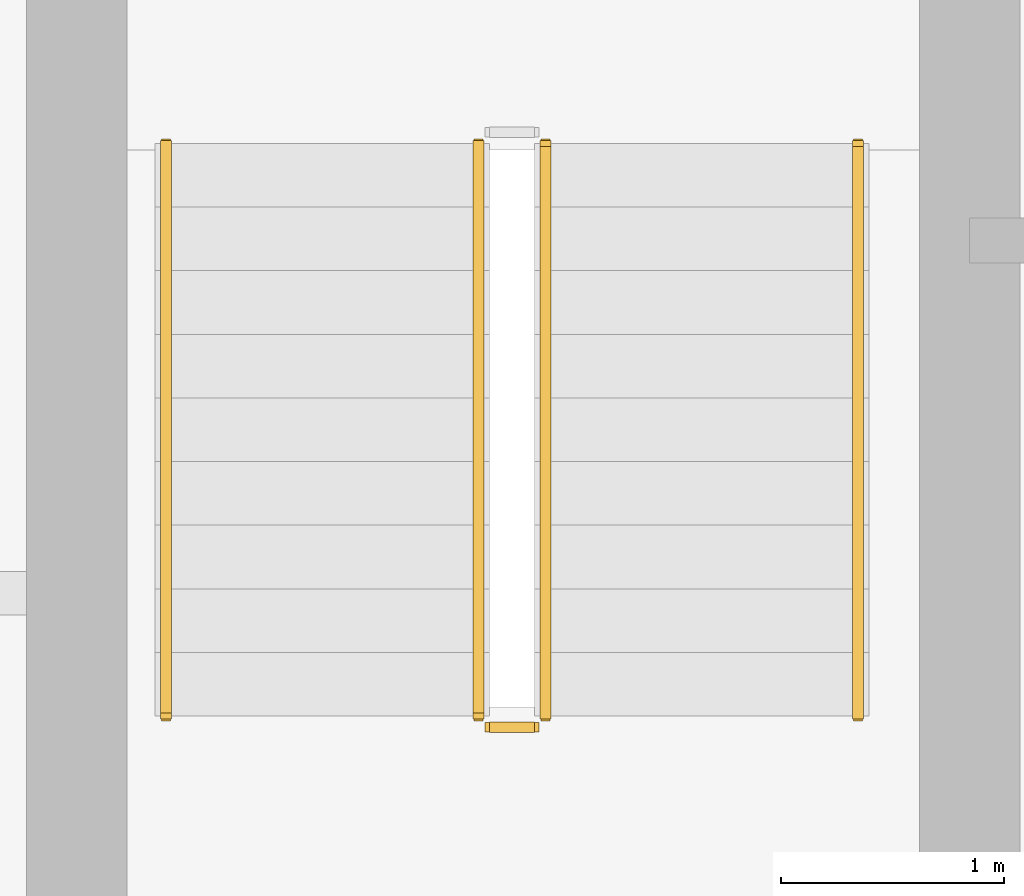
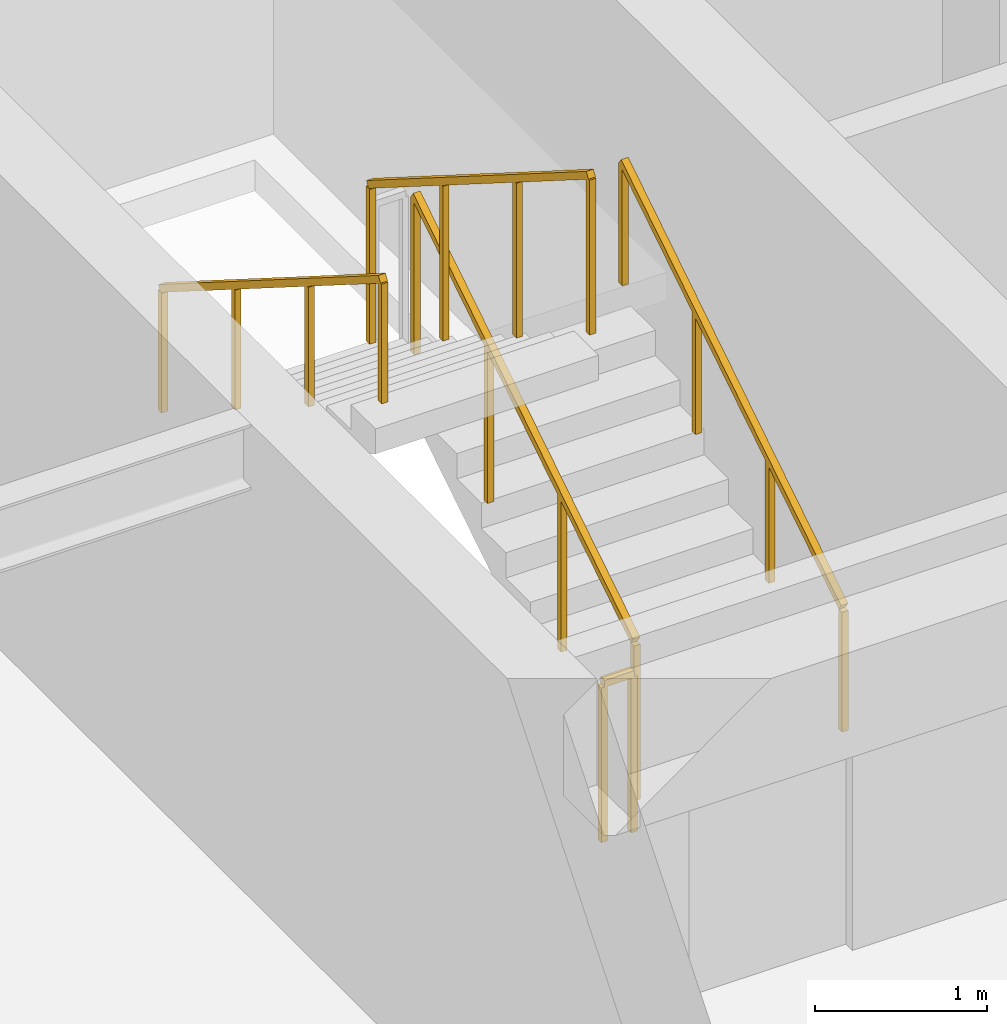
# One storey, part 27 of 29: 5 railings.
"""IFC4 building model written with IfcOpenShell, lengths in metres."""

import ifcopenshell
import ifcopenshell.guid

model = None  # the IFC model being written
_history = None  # IfcOwnerHistory: only IFC2X3 demands one
_inside = {}  # id of a spatial element -> (the spatial element, [elements in it])
_under = {}  # id of a project, library or spatial element -> (it, [spatial elements below it])
_declared = {}  # id of a project -> (the project, [libraries it declares])
_typed = {}  # id of a type object -> (the type object, [elements of that type])
_made_of = {}  # id of a material, layer set ... -> (it, [elements and type objects made of it])


def new_model(schema):
    """Start an empty IFC model of exactly this schema.

    Asked for "IFC4X3", IfcOpenShell would pick the latest addendum, in which some entities
    have other attributes; the version numbers below select the first issue.
    IFC2X3 requires an IfcOwnerHistory on every rooted entity: one is made here for all.
    """
    global model, _history
    if schema == "IFC4X3":
        model = ifcopenshell.file(schema_version=(4, 3, 0, 0))
    else:
        model = ifcopenshell.file(schema=schema)
    _inside.clear()
    _under.clear()
    _declared.clear()
    _typed.clear()
    _made_of.clear()
    _history = None
    if model.schema == "IFC2X3":
        org = make("IfcOrganization", Name="unknown")
        user = make(
            "IfcPersonAndOrganization",
            ThePerson=make("IfcPerson", FamilyName="unknown"),
            TheOrganization=org,
        )
        app = make(
            "IfcApplication",
            ApplicationDeveloper=org,
            Version="unknown",
            ApplicationFullName="unknown",
            ApplicationIdentifier="unknown",
        )
        _history = make(
            "IfcOwnerHistory",
            OwningUser=user,
            OwningApplication=app,
            ChangeAction="ADDED",
            CreationDate=0,
        )
    return model


def make(cls, **values):
    """One entity of the class cls with the attributes given. An attribute that is None is left unset."""
    return model.create_entity(
        cls, **{name: value for name, value in values.items() if value is not None}
    )


def rooted(cls, **values):
    """An entity with a GlobalId (a new one), such as an element, a storey or a relation."""
    return make(cls, GlobalId=ifcopenshell.guid.new(), OwnerHistory=_history, **values)


def si_unit(unit_type, name, prefix=None):
    """IfcSIUnit, for example si_unit("LENGTHUNIT", "METRE", prefix="MILLI")."""
    return make("IfcSIUnit", UnitType=unit_type, Prefix=prefix, Name=name)


def assignment(units):
    """IfcUnitAssignment: the units of a project."""
    return None if units is None else make("IfcUnitAssignment", Units=units)


def point(xyz):
    """IfcCartesianPoint."""
    return None if xyz is None else make("IfcCartesianPoint", Coordinates=xyz)


def direction(xyz):
    """IfcDirection."""
    return None if xyz is None else make("IfcDirection", DirectionRatios=xyz)


def frame(location, z_axis=None, x_axis=None):
    """IfcAxis2Placement3D, a coordinate frame: its origin and axes. An axis left out is left unset."""
    return make(
        "IfcAxis2Placement3D",
        Location=point(location),
        Axis=direction(z_axis),
        RefDirection=direction(x_axis),
    )


def frame_2d(location, x_axis=None):
    """IfcAxis2Placement2D, a coordinate frame in the plane: its origin and x axis."""
    return make(
        "IfcAxis2Placement2D", Location=point(location), RefDirection=direction(x_axis)
    )


def origin():
    """The frame at (0, 0, 0) with its axes left unset."""
    return frame((0.0, 0.0, 0.0))


def origin_2d():
    """The frame at (0, 0) in the plane with its x axis left unset."""
    return frame_2d((0.0, 0.0))


def place(relative_to, where):
    """IfcLocalPlacement: puts the frame where relative to a parent placement (None: the world)."""
    return make(
        "IfcLocalPlacement", PlacementRelTo=relative_to, RelativePlacement=where
    )


def context(
    kind, dimensions, precision=None, world=None, true_north=None, identifier=None
):
    """IfcGeometricRepresentationContext, for example the 3D "Model" context."""
    return make(
        "IfcGeometricRepresentationContext",
        ContextIdentifier=identifier,
        ContextType=kind,
        CoordinateSpaceDimension=dimensions,
        Precision=precision,
        WorldCoordinateSystem=world,
        TrueNorth=true_north,
    )


def subcontext(parent, identifier, kind, view, scale=None):
    """IfcGeometricRepresentationSubContext, for example "Body" below "Model"."""
    return make(
        "IfcGeometricRepresentationSubContext",
        ContextIdentifier=identifier,
        ContextType=kind,
        ParentContext=parent,
        TargetScale=scale,
        TargetView=view,
    )


def project(units=None, contexts=None):
    """IfcProject with its units and contexts."""
    return rooted(
        "IfcProject",
        Name="project",
        RepresentationContexts=contexts,
        UnitsInContext=assignment(units),
    )


def spatial(cls, under=None, at=None, **own):
    """A site, building, storey or space (cls), placed at a placement, below another one or the project."""
    s = rooted(cls, ObjectPlacement=at, **own)
    if under is not None:
        _under.setdefault(under.id(), (under, []))[1].append(s)
    return s


def profile(cls, at=None, kind="AREA", **sizes):
    """A parametric profile (cls). Its sizes go by their IFC names, for example OverallWidth=200.0."""
    return make(cls, ProfileType=kind, Position=at, **sizes)


def rectangle(**sizes):
    """IfcRectangleProfileDef."""
    return profile("IfcRectangleProfileDef", **sizes)


def extrude(swept, where, along, depth):
    """IfcExtrudedAreaSolid: the profile swept, set in the frame where, extruded along a direction by depth."""
    return make(
        "IfcExtrudedAreaSolid",
        SweptArea=swept,
        Position=where,
        ExtrudedDirection=direction(along),
        Depth=depth,
    )


def shape(context_of_items, identifier, shape_type, items):
    """IfcShapeRepresentation: the items that make up one representation, for example the "Body"."""
    return make(
        "IfcShapeRepresentation",
        ContextOfItems=context_of_items,
        RepresentationIdentifier=identifier,
        RepresentationType=shape_type,
        Items=items,
    )


def material(Name=None, Category=None):
    """IfcMaterial."""
    return make("IfcMaterial", Name=Name, Category=Category)


def made_of(thing, what):
    """Note that an element or type object is made of a material, layer set ...; save() writes the relation."""
    if what is not None:
        _made_of.setdefault(what.id(), (what, []))[1].append(thing)
    return thing


def type_object(cls, material=None, **own):
    """A type object (cls), such as IfcWallType, which elements share."""
    return made_of(rooted(cls, **own), material)


def element(
    cls,
    number,
    at=None,
    inside=None,
    cuts=None,
    type_object=None,
    material=None,
    context=None,
    identifier="Body",
    shape_type=None,
    held_by="IfcProductDefinitionShape",
    body=None,
    shapes=None,
    **own,
):
    """One element of the class cls, such as IfcWall. Its Tag is "e" and its number.

    at: its placement. inside: the storey or other place that contains it. cuts: it is an
    opening in that element (IfcRelVoidsElement). A single representation is given by context,
    identifier, shape_type and body (its items); several are given by shapes. held_by: the class
    of the entity that holds the representations. save() writes the other relations.
    """
    e = rooted(cls, Tag="e%d" % number, ObjectPlacement=at, **own)
    if body is not None:
        shapes = [shape(context, identifier, shape_type, body)]
    if shapes is not None:
        e.Representation = make(held_by, Representations=shapes)
    if inside is not None:
        _inside.setdefault(inside.id(), (inside, []))[1].append(e)
    if cuts is not None:
        rooted(
            "IfcRelVoidsElement", RelatingBuildingElement=cuts, RelatedOpeningElement=e
        )
    if type_object is not None:
        _typed.setdefault(type_object.id(), (type_object, []))[1].append(e)
    return made_of(e, material)


def aggregate(whole, parts):
    """IfcRelAggregates: a whole, such as a stair, and the parts it consists of."""
    return rooted("IfcRelAggregates", RelatingObject=whole, RelatedObjects=parts)


def save(model, path):
    """Write the relations noted so far, then the file.

    IfcRelAggregates (storeys below a building ...), IfcRelContainedInSpatialStructure (elements
    in a storey), IfcRelDefinesByType, IfcRelAssociatesMaterial and IfcRelDeclares: one each for
    every whole, place, type object, material and project.
    """
    for whole, parts in _under.values():
        aggregate(whole, parts)
    for where, things in _inside.values():
        rooted(
            "IfcRelContainedInSpatialStructure",
            RelatedElements=things,
            RelatingStructure=where,
        )
    for kind, things in _typed.values():
        rooted("IfcRelDefinesByType", RelatedObjects=things, RelatingType=kind)
    for what, things in _made_of.values():
        rooted("IfcRelAssociatesMaterial", RelatedObjects=things, RelatingMaterial=what)
    for by, libraries in _declared.values():
        rooted("IfcRelDeclares", RelatingContext=by, RelatedDefinitions=libraries)
    model.write(path)


model = new_model("IFC4")

# Units and contexts
model_context = context("Model", 3, precision=1e-05, world=origin(), true_north=direction((0.0, 1.0)))
body_context = subcontext(model_context, "Body", "Model", "MODEL_VIEW")
ifc_project = project(units=[si_unit("LENGTHUNIT", "METRE"), si_unit("AREAUNIT", "SQUARE_METRE"), si_unit("VOLUMEUNIT", "CUBIC_METRE"), si_unit("PLANEANGLEUNIT", "RADIAN"), si_unit("MASSUNIT", "GRAM", prefix="KILO")], contexts=[model_context])

# Site, building, storey
site_placement = place(None, origin())
site = spatial("IfcSite", under=ifc_project, at=site_placement, CompositionType="ELEMENT")
building_placement = place(site_placement, origin())
building = spatial("IfcBuilding", under=site, at=building_placement, Name="Sarneth Arch Tower", CompositionType="ELEMENT")
storey_placement = place(building_placement, frame((0.0, 0.0, 165.0)))
storey = spatial("IfcBuildingStorey", under=building, at=storey_placement, Name="L41", CompositionType="ELEMENT", Elevation=165.0)

# Railings
ifc_material_1 = material(Name="Brushed Stainless Steel 304 tubular handrail", Category="steel")
railing_type_1 = type_object("IfcRailingType", Name="RAIL-HANDRAIL-900", PredefinedType="HANDRAIL", material=ifc_material_1)
railing_1_placement = place(storey_placement, frame((40.5, 41.449951171875, 0.179931640625)))
element("IfcRailing", 1, at=railing_1_placement, inside=storey, type_object=railing_type_1, Name="L41 ST-1 stair handrail 1", PredefinedType="HANDRAIL", context=body_context, shape_type="SweptSolid", body=[
    extrude(rectangle(XDim=0.048095703125, YDim=0.048095703125, at=origin_2d()), frame((0.0, 0.0, 0.8759765625), z_axis=(0.0, 0.845465955043, 0.534029323973), x_axis=(-1.0, 0.0, 0.0)), (0.0, 0.0, 1.0), 3.03369140625),
    extrude(rectangle(XDim=0.0419921875, YDim=0.0419921875, at=origin_2d()), origin(), (0.0, 0.0, 1.0), 0.851806640625),
    extrude(rectangle(XDim=0.0419921875, YDim=0.0419921875, at=origin_2d()), frame((0.0, 0.85498046875, 0.5400390625)), (0.0, 0.0, 1.0), 0.851806640625),
    extrude(rectangle(XDim=0.0419921875, YDim=0.0419921875, at=origin_2d()), frame((0.0, 1.7099609375, 1.080078125)), (0.0, 0.0, 1.0), 0.851806640625),
    extrude(rectangle(XDim=0.0419921875, YDim=0.0419921875, at=origin_2d()), frame((0.0, 2.56494140625, 1.6201171875)), (0.0, 0.0, 1.0), 0.851806640625),
])
railing_2_placement = place(storey_placement, frame((37.39990234375, 44.014892578125, 1.97998046875)))
element("IfcRailing", 2, at=railing_2_placement, inside=storey, type_object=railing_type_1, Name="L41 ST-1 stair handrail 2", PredefinedType="HANDRAIL", context=body_context, shape_type="SweptSolid", body=[
    extrude(rectangle(XDim=0.048095703125, YDim=0.048095703125, at=origin_2d()), frame((0.0, 0.0, 0.8759765625), z_axis=(0.0, -0.845465955043, 0.534029323973), x_axis=(1.0, 0.0, 0.0)), (0.0, 0.0, 1.0), 3.03369140625),
    extrude(rectangle(XDim=0.0419921875, YDim=0.0419921875, at=origin_2d()), origin(), (0.0, 0.0, 1.0), 0.851806640625),
    extrude(rectangle(XDim=0.0419921875, YDim=0.0419921875, at=origin_2d()), frame((0.0, -0.85498046875, 0.5400390625)), (0.0, 0.0, 1.0), 0.851806640625),
    extrude(rectangle(XDim=0.0419921875, YDim=0.0419921875, at=origin_2d()), frame((0.0, -1.7099609375, 1.080078125)), (0.0, 0.0, 1.0), 0.851806640625),
    extrude(rectangle(XDim=0.0419921875, YDim=0.0419921875, at=origin_2d()), frame((0.0, -2.56494140625, 1.6201171875)), (0.0, 0.0, 1.0), 0.851806640625),
])
ifc_material_2 = material(Name="Painted Steel S275 stair well guard", Category="steel")
railing_type_2 = type_object("IfcRailingType", Name="RAIL-STAIR-GUARD", PredefinedType="GUARDRAIL", material=ifc_material_2)
railing_3_placement = place(storey_placement, frame((39.10009765625, 41.449951171875, 0.179931640625)))
element("IfcRailing", 3, at=railing_3_placement, inside=storey, type_object=railing_type_2, Name="L41 ST-1 stair guard 1", PredefinedType="GUARDRAIL", context=body_context, shape_type="SweptSolid", body=[
    extrude(rectangle(XDim=0.048095703125, YDim=0.048095703125, at=origin_2d()), frame((0.0, 0.0, 1.1259765625), z_axis=(0.0, 0.845465955043, 0.534029323973), x_axis=(-1.0, 0.0, 0.0)), (0.0, 0.0, 1.0), 3.03369140625),
    extrude(rectangle(XDim=0.0419921875, YDim=0.0419921875, at=origin_2d()), origin(), (0.0, 0.0, 1.0), 1.101806640625),
    extrude(rectangle(XDim=0.0419921875, YDim=0.0419921875, at=origin_2d()), frame((0.0, 0.85498046875, 0.5400390625)), (0.0, 0.0, 1.0), 1.101806640625),
    extrude(rectangle(XDim=0.0419921875, YDim=0.0419921875, at=origin_2d()), frame((0.0, 1.7099609375, 1.080078125)), (0.0, 0.0, 1.0), 1.101806640625),
    extrude(rectangle(XDim=0.0419921875, YDim=0.0419921875, at=origin_2d()), frame((0.0, 2.56494140625, 1.6201171875)), (0.0, 0.0, 1.0), 1.101806640625),
])
railing_4_placement = place(storey_placement, frame((38.800048828125, 44.014892578125, 1.97998046875)))
element("IfcRailing", 4, at=railing_4_placement, inside=storey, type_object=railing_type_2, Name="L41 ST-1 stair guard 3", PredefinedType="GUARDRAIL", context=body_context, shape_type="SweptSolid", body=[
    extrude(rectangle(XDim=0.048095703125, YDim=0.048095703125, at=origin_2d()), frame((0.0, 0.0, 1.1259765625), z_axis=(0.0, -0.845465955043, 0.534029323973), x_axis=(1.0, 0.0, 0.0)), (0.0, 0.0, 1.0), 3.03369140625),
    extrude(rectangle(XDim=0.0419921875, YDim=0.0419921875, at=origin_2d()), origin(), (0.0, 0.0, 1.0), 1.101806640625),
    extrude(rectangle(XDim=0.0419921875, YDim=0.0419921875, at=origin_2d()), frame((0.0, -0.85498046875, 0.5400390625)), (0.0, 0.0, 1.0), 1.101806640625),
    extrude(rectangle(XDim=0.0419921875, YDim=0.0419921875, at=origin_2d()), frame((0.0, -1.7099609375, 1.080078125)), (0.0, 0.0, 1.0), 1.101806640625),
    extrude(rectangle(XDim=0.0419921875, YDim=0.0419921875, at=origin_2d()), frame((0.0, -2.56494140625, 1.6201171875)), (0.0, 0.0, 1.0), 1.101806640625),
])
railing_5_placement = place(storey_placement, frame((39.050048828125, 41.39990234375, 0.0)))
element("IfcRailing", 5, at=railing_5_placement, inside=storey, type_object=railing_type_2, Name="L41 ST-1 stair guard 4", PredefinedType="GUARDRAIL", context=body_context, shape_type="SweptSolid", body=[
    extrude(rectangle(XDim=0.048095703125, YDim=0.048095703125, at=origin_2d()), frame((0.0, 0.0, 1.1259765625), z_axis=(-1.0, 0.0, 0.0), x_axis=(0.0, -1.0, 0.0)), (0.0, 0.0, 1.0), 0.199951171875),
    extrude(rectangle(XDim=0.0419921875, YDim=0.0419921875, at=origin_2d()), origin(), (0.0, 0.0, 1.0), 1.101806640625),
    extrude(rectangle(XDim=0.0419921875, YDim=0.0419921875, at=origin_2d()), frame((-0.199951171875, 0.0, 0.0)), (0.0, 0.0, 1.0), 1.101806640625),
])

save(model, "model.ifc")
